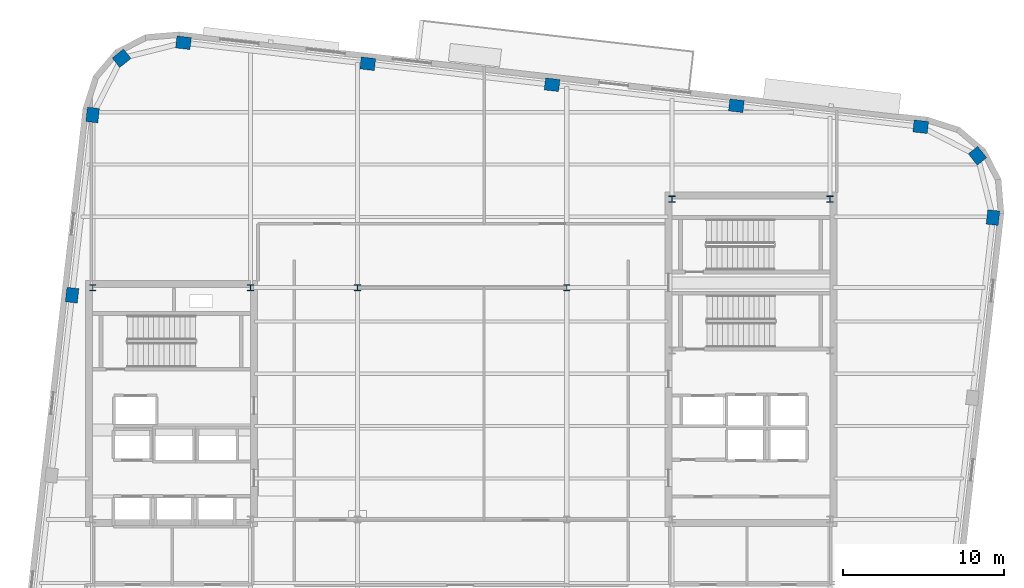
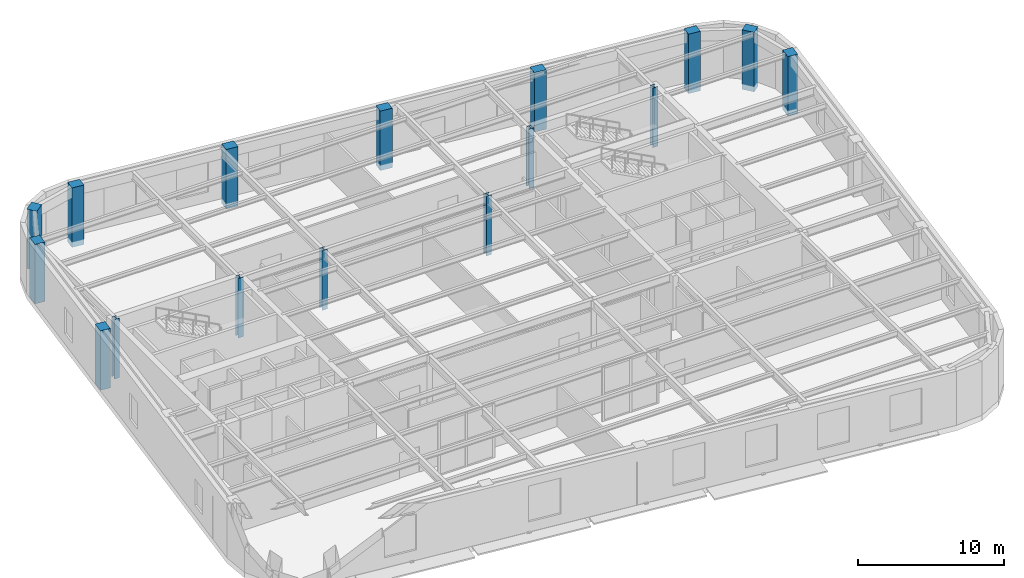
# One storey, part 2 of 15: 16 columns.
"""IFC4 building model written with IfcOpenShell, lengths in metres."""

from ifc_helpers import new_model, si_unit, direction, frame, origin, origin_2d, place, context, subcontext, project, spatial, rectangle, i_section, extrude, material, material_profile, profile_set, type_object, element, save


model = new_model("IFC4")

# Units and contexts
model_context = context("Model", 3, precision=1e-05, world=origin(), true_north=direction((0.0, 1.0)))
body_context = subcontext(model_context, "Body", "Model", "MODEL_VIEW")
ifc_project = project(units=[si_unit("LENGTHUNIT", "METRE"), si_unit("AREAUNIT", "SQUARE_METRE"), si_unit("VOLUMEUNIT", "CUBIC_METRE"), si_unit("PLANEANGLEUNIT", "RADIAN"), si_unit("MASSUNIT", "GRAM", prefix="KILO")], contexts=[model_context])

# Site, building, storey
site_placement = place(None, origin())
site = spatial("IfcSite", under=ifc_project, at=site_placement, CompositionType="ELEMENT")
building_placement = place(site_placement, origin())
building = spatial("IfcBuilding", under=site, at=building_placement, Name="Kolvaren Arena Tower", CompositionType="ELEMENT")
storey_placement = place(building_placement, frame((0.0, 0.0, 216.14990234375)))
storey = spatial("IfcBuildingStorey", under=building, at=storey_placement, Name="L52", CompositionType="ELEMENT", Elevation=216.14990234375)

# Columns
ifc_material_1 = material(Name="Precast concrete C55/67", Category="concrete")
ifc_material_profile_1 = material_profile(ifc_material_1, rectangle(XDim=0.89990234375, YDim=0.75, at=origin_2d()), Name="RC-900x750")
ifc_profile_set_1 = profile_set([ifc_material_profile_1], Name="Precast concrete C55/67")
column_type_1 = type_object("IfcColumnType", Name="EXCOL-Z4", PredefinedType="COLUMN", material=ifc_profile_set_1)
for number, where, z_axis, x_axis, name in (
    (1, (70.482177734375, 38.20458984375, -0.449951171875), (0.0, 0.0, 1.0), (0.113203213768, 0.993571855677, 0.0), "Exoskeleton Perimeter Column 10 (L52)"),
    (2, (69.519775390625, 42.047119140625, -0.449951171875), (0.0, 0.0, 1.0), (-0.622514636638, 0.782608156852, 0.0), "Exoskeleton Perimeter Column 11 (L52)"),
    (3, (65.9921875, 43.84912109375, -0.449951171875), (0.0, 0.0, 1.0), (0.993571855677, -0.113203213768, 0.0), "Exoskeleton Perimeter Column 12 (L52)"),
    (4, (54.54150390625, 45.15380859375, -0.449951171875), (0.0, 0.0, 1.0), (0.993571855677, -0.113203213768, 0.0), "Exoskeleton Perimeter Column 13 (L52)"),
    (5, (43.090576171875, 46.45849609375, -0.449951171875), (0.0, 0.0, 1.0), (0.993571855677, -0.113203213768, 0.0), "Exoskeleton Perimeter Column 14 (L52)"),
    (6, (31.6396484375, 47.76318359375, -0.449951171875), (0.0, 0.0, 1.0), (0.993571855677, -0.113203213768, 0.0), "Exoskeleton Perimeter Column 15 (L52)"),
    (7, (20.188720703125, 49.06787109375, -0.449951171875), (0.0, 0.0, 1.0), (0.993571855677, -0.113203213768, 0.0), "Exoskeleton Perimeter Column 16 (L52)"),
    (8, (16.34619140625, 48.10546875, -0.449951171875), (0.0, 0.0, 1.0), (0.782608156852, 0.622514636638, 0.0), "Exoskeleton Perimeter Column 17 (L52)"),
    (9, (14.544189453125, 44.577880859375, -0.449951171875), (0.0, 0.0, 1.0), (0.113203213768, 0.993571855677, 0.0), "Exoskeleton Perimeter Column 18 (L52)"),
    (10, (13.268798828125, 33.3837890625, -0.449951171875), (0.0, 0.0, 1.0), (0.113203213768, 0.993571855677, 0.0), "Exoskeleton Perimeter Column 19 (L52)"),
):
    element("IfcColumn", number, at=place(storey_placement, frame(where, z_axis=z_axis, x_axis=x_axis)), inside=storey, type_object=column_type_1, Name=name, PredefinedType="COLUMN", context=body_context, shape_type="SweptSolid", body=[
        extrude(rectangle(XDim=0.89990234375, YDim=0.75, at=origin_2d()), origin(), (0.0, 0.0, 1.0), 4.97998046875),
    ])
ifc_material_2 = material(Name="Steel ASTM A913 Grade 65", Category="steel")
ifc_material_profile_2 = material_profile(ifc_material_2, i_section(OverallWidth=0.39892578125, OverallDepth=0.39306640625, WebThickness=0.022705078125, FlangeThickness=0.03662109375, FilletRadius=0.02001953125, at=origin_2d()), Name="W360x287")
ifc_profile_set_2 = profile_set([ifc_material_profile_2], Name="Steel ASTM A913 Grade 65")
column_type_2 = type_object("IfcColumnType", Name="SCOL-Z4", PredefinedType="COLUMN", material=ifc_profile_set_2)
for number, where, z_axis, x_axis, name in (
    (11, (14.550048828125, 33.85009765625, -0.449951171875), (0.0, 0.0, 1.0), (1.0, 0.0, 0.0), "Core Boundary Column WC-NW (L52)"),
    (12, (24.35009765625, 33.85009765625, -0.449951171875), (0.0, 0.0, 1.0), (1.0, 0.0, 0.0), "Core Boundary Column WC-NE (L52)"),
    (13, (50.550048828125, 39.35009765625, -0.449951171875), (0.0, 0.0, 1.0), (1.0, 0.0, 0.0), "Core Boundary Column EC-NW (L52)"),
    (14, (60.35009765625, 39.35009765625, -0.449951171875), (0.0, 0.0, 1.0), (1.0, 0.0, 0.0), "Core Boundary Column EC-NE (L52)"),
    (15, (31.0, 33.85009765625, -0.449951171875), (0.0, 0.0, 1.0), (1.0, 0.0, 0.0), "Interior Gravity Column TC-NW (L52)"),
    (16, (44.0, 33.85009765625, -0.449951171875), (0.0, 0.0, 1.0), (1.0, 0.0, 0.0), "Interior Gravity Column TC-NE (L52)"),
):
    element("IfcColumn", number, at=place(storey_placement, frame(where, z_axis=z_axis, x_axis=x_axis)), inside=storey, type_object=column_type_2, Name=name, PredefinedType="COLUMN", context=body_context, shape_type="SweptSolid", body=[
        extrude(i_section(OverallWidth=0.39892578125, OverallDepth=0.39306640625, WebThickness=0.022705078125, FlangeThickness=0.03662109375, FilletRadius=0.02001953125, at=origin_2d()), origin(), (0.0, 0.0, 1.0), 4.97998046875),
    ])

save(model, "model.ifc")
